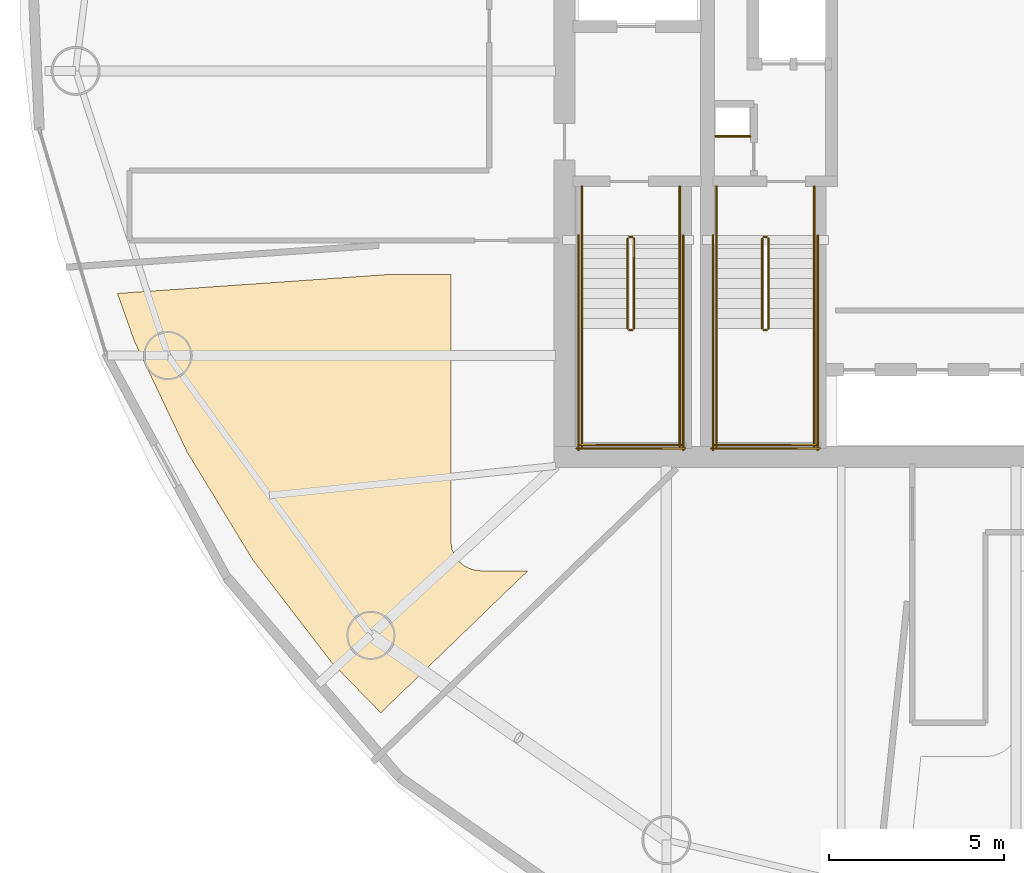
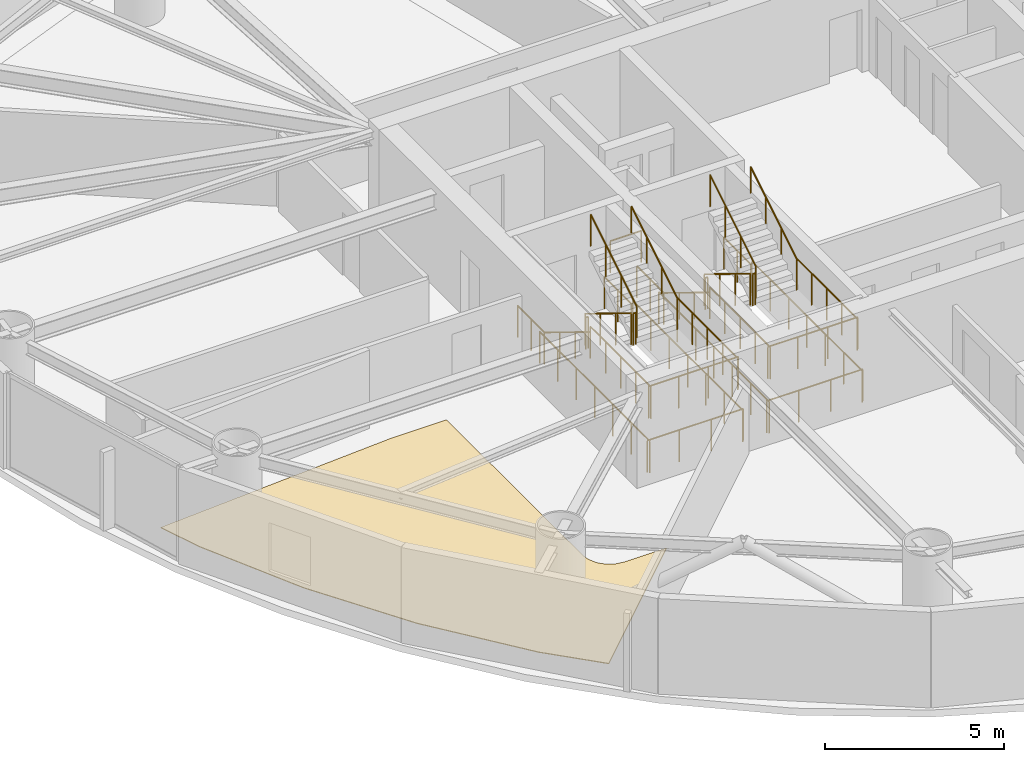
# One storey, part 20 of 22: 29 railings, 1 covering.
"""IFC4 building model written with IfcOpenShell, lengths in metres."""

from ifc_helpers import new_model, si_unit, direction, frame, origin, origin_2d, place, context, subcontext, project, spatial, polyline, circle, outline, extrude, material, layer, layer_set, type_object, element, save


model = new_model("IFC4")

# Units and contexts
model_context = context("Model", 3, precision=1e-05, world=origin(), true_north=direction((0.0, 1.0)))
body_context = subcontext(model_context, "Body", "Model", "MODEL_VIEW")
ifc_project = project(units=[si_unit("LENGTHUNIT", "METRE"), si_unit("AREAUNIT", "SQUARE_METRE"), si_unit("VOLUMEUNIT", "CUBIC_METRE"), si_unit("PLANEANGLEUNIT", "RADIAN"), si_unit("MASSUNIT", "GRAM", prefix="KILO")], contexts=[model_context])

# Site, building, storey
site_placement = place(None, origin())
site = spatial("IfcSite", under=ifc_project, at=site_placement, CompositionType="ELEMENT")
building_placement = place(site_placement, origin())
building = spatial("IfcBuilding", under=site, at=building_placement, Name="Bramvorn Convention Spire", CompositionType="ELEMENT")
storey_placement = place(building_placement, frame((0.0, 0.0, 141.300048828125)))
storey = spatial("IfcBuildingStorey", under=building, at=storey_placement, Name="L35", CompositionType="ELEMENT", Elevation=141.300048828125)

# Covering
ifc_material_1 = material(Name="Honed Dolomitic Limestone Terrazzo Flooring", Category="masonry")
ifc_layer = layer(ifc_material_1, 0.02490234375)
ifc_layer_set = layer_set([ifc_layer], Name="Honed Dolomitic Limestone Terrazzo Flooring - FLR-TERRAZZO-25")
covering_type = type_object("IfcCoveringType", Name="FLR-TERRAZZO-25", PredefinedType="FLOORING", material=ifc_layer_set)
covering_placement = place(storey_placement, origin())
element("IfcCovering", 1, at=covering_placement, inside=storey, type_object=covering_type, Name="L35 Managing Director Office 5 raised floor finish", PredefinedType="FLOORING", context=body_context, shape_type="SweptSolid", body=[
    extrude(outline(polyline([(20.32177734375, 12.950439453125), (21.7451171875, 11.484619140625), (25.955078125, 15.550048828125), (24.60009765625, 15.550048828125), (24.353271484375, 15.586669921875), (24.127685546875, 15.693359375), (23.9990234375, 15.799072265625), (23.893310546875, 15.927734375), (23.78662109375, 16.1533203125), (23.75, 16.39990234375), (23.75, 24.030029296875), (22.012939453125, 24.030029296875), (14.212158203125, 23.484619140625), (14.700439453125, 22.110595703125), (16.20458984375, 18.94873046875), (18.083251953125, 15.864013671875), (20.32177734375, 12.950439453125)])), origin(), (0.0, 0.0, 1.0), 0.02490234375),
])

# Railings
ifc_material_2 = material(Name="Painted Steel Balustrade & Guardrail", Category="steel")
railing_type_1 = type_object("IfcRailingType", Name="RL-STAIR-GUARD-1100", PredefinedType="GUARDRAIL", material=ifc_material_2)
railing_1_placement = place(storey_placement, frame((28.81005859375, 25.050048828125, 0.175048828125)))
element("IfcRailing", 2, at=railing_1_placement, inside=storey, type_object=railing_type_1, Name="L35 ST1 stair guard 1", PredefinedType="GUARDRAIL", context=body_context, shape_type="SweptSolid", body=[
    extrude(circle(Radius=0.02392578125, at=origin_2d()), frame((0.0, 0.0, 1.076171875), z_axis=(0.0, -0.852173129349, 0.523259933127), x_axis=(1.0, 0.0, 0.0)), (0.0, 0.0, 1.0), 3.009765625),
    extrude(circle(Radius=0.02099609375, at=origin_2d()), origin(), (0.0, 0.0, 1.0), 1.052001953125),
    extrude(circle(Radius=0.02099609375, at=origin_2d()), frame((0.0, -0.85498046875, 0.52490234375)), (0.0, 0.0, 1.0), 1.052001953125),
    extrude(circle(Radius=0.02099609375, at=origin_2d()), frame((0.0, -1.7099609375, 1.050048828125)), (0.0, 0.0, 1.0), 1.052001953125),
    extrude(circle(Radius=0.02099609375, at=origin_2d()), frame((0.0, -2.56494140625, 1.574951171875)), (0.0, 0.0, 1.0), 1.052001953125),
])
railing_2_placement = place(storey_placement, frame((28.860107421875, 22.43505859375, 1.75)))
element("IfcRailing", 3, at=railing_2_placement, inside=storey, type_object=railing_type_1, Name="L35 ST1 stair guard 2", PredefinedType="GUARDRAIL", context=body_context, shape_type="SweptSolid", body=[
    extrude(circle(Radius=0.02392578125, at=origin_2d()), frame((0.0, 0.0, 1.076171875), z_axis=(1.0, 0.0, 0.0), x_axis=(0.0, 1.0, 0.0)), (0.0, 0.0, 1.0), 0.079833984375),
    extrude(circle(Radius=0.02099609375, at=origin_2d()), origin(), (0.0, 0.0, 1.0), 1.052001953125),
    extrude(circle(Radius=0.02099609375, at=origin_2d()), frame((0.079833984375, 0.0, 0.0)), (0.0, 0.0, 1.0), 1.052001953125),
])
for number, where, name in (
    (4, (27.5, 22.485107421875, 1.75), "L35 ST1 stair guard 3"),
    (5, (30.300048828125, 22.485107421875, 1.75), "L35 ST1 stair guard 4"),
):
    element("IfcRailing", number, at=place(storey_placement, frame(where)), inside=storey, type_object=railing_type_1, Name=name, PredefinedType="GUARDRAIL", context=body_context, shape_type="SweptSolid", body=[
        extrude(circle(Radius=0.02392578125, at=origin_2d()), frame((0.0, 0.0, 1.076171875), z_axis=(0.0, -1.0, 0.0), x_axis=(1.0, 0.0, 0.0)), (0.0, 0.0, 1.0), 3.385009765625),
        extrude(circle(Radius=0.02099609375, at=origin_2d()), origin(), (0.0, 0.0, 1.0), 1.052001953125),
        extrude(circle(Radius=0.02099609375, at=origin_2d()), frame((0.0, -0.84619140625, 0.0)), (0.0, 0.0, 1.0), 1.052001953125),
        extrude(circle(Radius=0.02099609375, at=origin_2d()), frame((0.0, -1.6923828125, 0.0)), (0.0, 0.0, 1.0), 1.052001953125),
        extrude(circle(Radius=0.02099609375, at=origin_2d()), frame((0.0, -2.538818359375, 0.0)), (0.0, 0.0, 1.0), 1.052001953125),
        extrude(circle(Radius=0.02099609375, at=origin_2d()), frame((0.0, -3.385009765625, 0.0)), (0.0, 0.0, 1.0), 1.052001953125),
    ])
railing_3_placement = place(storey_placement, frame((27.449951171875, 19.14990234375, 1.75)))
element("IfcRailing", 6, at=railing_3_placement, inside=storey, type_object=railing_type_1, Name="L35 ST1 stair guard 5", PredefinedType="GUARDRAIL", context=body_context, shape_type="SweptSolid", body=[
    extrude(circle(Radius=0.02392578125, at=origin_2d()), frame((0.0, 0.0, 1.076171875), z_axis=(1.0, 0.0, 0.0), x_axis=(0.0, 1.0, 0.0)), (0.0, 0.0, 1.0), 2.900146484375),
    extrude(circle(Radius=0.02099609375, at=origin_2d()), origin(), (0.0, 0.0, 1.0), 1.052001953125),
    extrude(circle(Radius=0.02099609375, at=origin_2d()), frame((0.966796875, 0.0, 0.0)), (0.0, 0.0, 1.0), 1.052001953125),
    extrude(circle(Radius=0.02099609375, at=origin_2d()), frame((1.933349609375, 0.0, 0.0)), (0.0, 0.0, 1.0), 1.052001953125),
    extrude(circle(Radius=0.02099609375, at=origin_2d()), frame((2.900146484375, 0.0, 0.0)), (0.0, 0.0, 1.0), 1.052001953125),
])
railing_4_placement = place(storey_placement, frame((28.989990234375, 22.485107421875, 1.925048828125)))
element("IfcRailing", 7, at=railing_4_placement, inside=storey, type_object=railing_type_1, Name="L35 ST1 stair guard 6", PredefinedType="GUARDRAIL", context=body_context, shape_type="SweptSolid", body=[
    extrude(circle(Radius=0.02392578125, at=origin_2d()), frame((0.0, 0.0, 1.076171875), z_axis=(0.0, 0.852173129349, 0.523259933127), x_axis=(-1.0, 0.0, 0.0)), (0.0, 0.0, 1.0), 3.009765625),
    extrude(circle(Radius=0.02099609375, at=origin_2d()), origin(), (0.0, 0.0, 1.0), 1.052001953125),
    extrude(circle(Radius=0.02099609375, at=origin_2d()), frame((0.0, 0.85498046875, 0.52490234375)), (0.0, 0.0, 1.0), 1.052001953125),
    extrude(circle(Radius=0.02099609375, at=origin_2d()), frame((0.0, 1.7099609375, 1.050048828125)), (0.0, 0.0, 1.0), 1.052001953125),
    extrude(circle(Radius=0.02099609375, at=origin_2d()), frame((0.0, 2.56494140625, 1.574951171875)), (0.0, 0.0, 1.0), 1.052001953125),
])
railing_5_placement = place(storey_placement, frame((28.860107421875, 25.10009765625, 0.0)))
element("IfcRailing", 8, at=railing_5_placement, inside=storey, type_object=railing_type_1, Name="L35 ST1 stair guard 7", PredefinedType="GUARDRAIL", context=body_context, shape_type="SweptSolid", body=[
    extrude(circle(Radius=0.02392578125, at=origin_2d()), frame((0.0, 0.0, 1.076171875), z_axis=(1.0, 0.0, 0.0), x_axis=(0.0, 1.0, 0.0)), (0.0, 0.0, 1.0), 0.079833984375),
    extrude(circle(Radius=0.02099609375, at=origin_2d()), origin(), (0.0, 0.0, 1.0), 1.052001953125),
    extrude(circle(Radius=0.02099609375, at=origin_2d()), frame((0.079833984375, 0.0, 0.0)), (0.0, 0.0, 1.0), 1.052001953125),
])
for number, where, name in (
    (9, (27.5, 26.550048828125, 0.0), "L35 ST1 stair guard 8"),
    (10, (30.300048828125, 26.550048828125, 0.0), "L35 ST1 stair guard 9"),
):
    element("IfcRailing", number, at=place(storey_placement, frame(where)), inside=storey, type_object=railing_type_1, Name=name, PredefinedType="GUARDRAIL", context=body_context, shape_type="SweptSolid", body=[
        extrude(circle(Radius=0.02392578125, at=origin_2d()), frame((0.0, 0.0, 1.076171875), z_axis=(0.0, -1.0, 0.0), x_axis=(1.0, 0.0, 0.0)), (0.0, 0.0, 1.0), 1.5),
        extrude(circle(Radius=0.02099609375, at=origin_2d()), origin(), (0.0, 0.0, 1.0), 1.052001953125),
        extrude(circle(Radius=0.02099609375, at=origin_2d()), frame((0.0, -0.75, 0.0)), (0.0, 0.0, 1.0), 1.052001953125),
        extrude(circle(Radius=0.02099609375, at=origin_2d()), frame((0.0, -1.5, 0.0)), (0.0, 0.0, 1.0), 1.052001953125),
    ])
for number, where, name in (
    (11, (27.39990234375, 25.14990234375, 0.0), "L35 ST1 stair guard 10"),
    (12, (30.39990234375, 25.14990234375, 0.0), "L35 ST1 stair guard 11"),
):
    element("IfcRailing", number, at=place(storey_placement, frame(where)), inside=storey, type_object=railing_type_1, Name=name, PredefinedType="GUARDRAIL", context=body_context, shape_type="SweptSolid", body=[
        extrude(circle(Radius=0.02392578125, at=origin_2d()), frame((0.0, 0.0, 1.076171875), z_axis=(0.0, -1.0, 0.0), x_axis=(1.0, 0.0, 0.0)), (0.0, 0.0, 1.0), 6.14990234375),
        extrude(circle(Radius=0.02099609375, at=origin_2d()), origin(), (0.0, 0.0, 1.0), 1.052001953125),
        extrude(circle(Radius=0.02099609375, at=origin_2d()), frame((0.0, -1.02490234375, 0.0)), (0.0, 0.0, 1.0), 1.052001953125),
        extrude(circle(Radius=0.02099609375, at=origin_2d()), frame((0.0, -2.050048828125, 0.0)), (0.0, 0.0, 1.0), 1.052001953125),
        extrude(circle(Radius=0.02099609375, at=origin_2d()), frame((0.0, -3.074951171875, 0.0)), (0.0, 0.0, 1.0), 1.052001953125),
        extrude(circle(Radius=0.02099609375, at=origin_2d()), frame((0.0, -4.099853515625, 0.0)), (0.0, 0.0, 1.0), 1.052001953125),
        extrude(circle(Radius=0.02099609375, at=origin_2d()), frame((0.0, -5.125, 0.0)), (0.0, 0.0, 1.0), 1.052001953125),
        extrude(circle(Radius=0.02099609375, at=origin_2d()), frame((0.0, -6.14990234375, 0.0)), (0.0, 0.0, 1.0), 1.052001953125),
    ])
railing_6_placement = place(storey_placement, frame((27.35009765625, 19.050048828125, 0.0)))
element("IfcRailing", 13, at=railing_6_placement, inside=storey, type_object=railing_type_1, Name="L35 ST1 stair guard 12", PredefinedType="GUARDRAIL", context=body_context, shape_type="SweptSolid", body=[
    extrude(circle(Radius=0.02392578125, at=origin_2d()), frame((0.0, 0.0, 1.076171875), z_axis=(1.0, 0.0, 0.0), x_axis=(0.0, 1.0, 0.0)), (0.0, 0.0, 1.0), 3.099853515625),
    extrude(circle(Radius=0.02099609375, at=origin_2d()), origin(), (0.0, 0.0, 1.0), 1.052001953125),
    extrude(circle(Radius=0.02099609375, at=origin_2d()), frame((1.033203125, 0.0, 0.0)), (0.0, 0.0, 1.0), 1.052001953125),
    extrude(circle(Radius=0.02099609375, at=origin_2d()), frame((2.066650390625, 0.0, 0.0)), (0.0, 0.0, 1.0), 1.052001953125),
    extrude(circle(Radius=0.02099609375, at=origin_2d()), frame((3.099853515625, 0.0, 0.0)), (0.0, 0.0, 1.0), 1.052001953125),
])
railing_7_placement = place(storey_placement, frame((32.659912109375, 25.050048828125, 0.175048828125)))
element("IfcRailing", 14, at=railing_7_placement, inside=storey, type_object=railing_type_1, Name="L35 ST3 stair guard 1", PredefinedType="GUARDRAIL", context=body_context, shape_type="SweptSolid", body=[
    extrude(circle(Radius=0.02392578125, at=origin_2d()), frame((0.0, 0.0, 1.076171875), z_axis=(0.0, -0.852173129349, 0.523259933127), x_axis=(1.0, 0.0, 0.0)), (0.0, 0.0, 1.0), 3.009765625),
    extrude(circle(Radius=0.02099609375, at=origin_2d()), origin(), (0.0, 0.0, 1.0), 1.052001953125),
    extrude(circle(Radius=0.02099609375, at=origin_2d()), frame((0.0, -0.85498046875, 0.52490234375)), (0.0, 0.0, 1.0), 1.052001953125),
    extrude(circle(Radius=0.02099609375, at=origin_2d()), frame((0.0, -1.7099609375, 1.050048828125)), (0.0, 0.0, 1.0), 1.052001953125),
    extrude(circle(Radius=0.02099609375, at=origin_2d()), frame((0.0, -2.56494140625, 1.574951171875)), (0.0, 0.0, 1.0), 1.052001953125),
])
railing_8_placement = place(storey_placement, frame((32.7099609375, 22.43505859375, 1.75)))
element("IfcRailing", 15, at=railing_8_placement, inside=storey, type_object=railing_type_1, Name="L35 ST3 stair guard 2", PredefinedType="GUARDRAIL", context=body_context, shape_type="SweptSolid", body=[
    extrude(circle(Radius=0.02392578125, at=origin_2d()), frame((0.0, 0.0, 1.076171875), z_axis=(1.0, 0.0, 0.0), x_axis=(0.0, 1.0, 0.0)), (0.0, 0.0, 1.0), 0.080078125),
    extrude(circle(Radius=0.02099609375, at=origin_2d()), origin(), (0.0, 0.0, 1.0), 1.052001953125),
    extrude(circle(Radius=0.02099609375, at=origin_2d()), frame((0.080078125, 0.0, 0.0)), (0.0, 0.0, 1.0), 1.052001953125),
])
for number, where, name in (
    (16, (31.35009765625, 22.485107421875, 1.75), "L35 ST3 stair guard 3"),
    (17, (34.14990234375, 22.485107421875, 1.75), "L35 ST3 stair guard 4"),
):
    element("IfcRailing", number, at=place(storey_placement, frame(where)), inside=storey, type_object=railing_type_1, Name=name, PredefinedType="GUARDRAIL", context=body_context, shape_type="SweptSolid", body=[
        extrude(circle(Radius=0.02392578125, at=origin_2d()), frame((0.0, 0.0, 1.076171875), z_axis=(0.0, -1.0, 0.0), x_axis=(1.0, 0.0, 0.0)), (0.0, 0.0, 1.0), 3.385009765625),
        extrude(circle(Radius=0.02099609375, at=origin_2d()), origin(), (0.0, 0.0, 1.0), 1.052001953125),
        extrude(circle(Radius=0.02099609375, at=origin_2d()), frame((0.0, -0.84619140625, 0.0)), (0.0, 0.0, 1.0), 1.052001953125),
        extrude(circle(Radius=0.02099609375, at=origin_2d()), frame((0.0, -1.6923828125, 0.0)), (0.0, 0.0, 1.0), 1.052001953125),
        extrude(circle(Radius=0.02099609375, at=origin_2d()), frame((0.0, -2.538818359375, 0.0)), (0.0, 0.0, 1.0), 1.052001953125),
        extrude(circle(Radius=0.02099609375, at=origin_2d()), frame((0.0, -3.385009765625, 0.0)), (0.0, 0.0, 1.0), 1.052001953125),
    ])
railing_9_placement = place(storey_placement, frame((31.300048828125, 19.14990234375, 1.75)))
element("IfcRailing", 18, at=railing_9_placement, inside=storey, type_object=railing_type_1, Name="L35 ST3 stair guard 5", PredefinedType="GUARDRAIL", context=body_context, shape_type="SweptSolid", body=[
    extrude(circle(Radius=0.02392578125, at=origin_2d()), frame((0.0, 0.0, 1.076171875), z_axis=(1.0, 0.0, 0.0), x_axis=(0.0, 1.0, 0.0)), (0.0, 0.0, 1.0), 2.89990234375),
    extrude(circle(Radius=0.02099609375, at=origin_2d()), origin(), (0.0, 0.0, 1.0), 1.052001953125),
    extrude(circle(Radius=0.02099609375, at=origin_2d()), frame((0.966552734375, 0.0, 0.0)), (0.0, 0.0, 1.0), 1.052001953125),
    extrude(circle(Radius=0.02099609375, at=origin_2d()), frame((1.933349609375, 0.0, 0.0)), (0.0, 0.0, 1.0), 1.052001953125),
    extrude(circle(Radius=0.02099609375, at=origin_2d()), frame((2.89990234375, 0.0, 0.0)), (0.0, 0.0, 1.0), 1.052001953125),
])
railing_10_placement = place(storey_placement, frame((32.840087890625, 22.485107421875, 1.925048828125)))
element("IfcRailing", 19, at=railing_10_placement, inside=storey, type_object=railing_type_1, Name="L35 ST3 stair guard 6", PredefinedType="GUARDRAIL", context=body_context, shape_type="SweptSolid", body=[
    extrude(circle(Radius=0.02392578125, at=origin_2d()), frame((0.0, 0.0, 1.076171875), z_axis=(0.0, 0.852173129349, 0.523259933127), x_axis=(-1.0, 0.0, 0.0)), (0.0, 0.0, 1.0), 3.009765625),
    extrude(circle(Radius=0.02099609375, at=origin_2d()), origin(), (0.0, 0.0, 1.0), 1.052001953125),
    extrude(circle(Radius=0.02099609375, at=origin_2d()), frame((0.0, 0.85498046875, 0.52490234375)), (0.0, 0.0, 1.0), 1.052001953125),
    extrude(circle(Radius=0.02099609375, at=origin_2d()), frame((0.0, 1.7099609375, 1.050048828125)), (0.0, 0.0, 1.0), 1.052001953125),
    extrude(circle(Radius=0.02099609375, at=origin_2d()), frame((0.0, 2.56494140625, 1.574951171875)), (0.0, 0.0, 1.0), 1.052001953125),
])
railing_11_placement = place(storey_placement, frame((32.7099609375, 25.10009765625, 0.0)))
element("IfcRailing", 20, at=railing_11_placement, inside=storey, type_object=railing_type_1, Name="L35 ST3 stair guard 7", PredefinedType="GUARDRAIL", context=body_context, shape_type="SweptSolid", body=[
    extrude(circle(Radius=0.02392578125, at=origin_2d()), frame((0.0, 0.0, 1.076171875), z_axis=(1.0, 0.0, 0.0), x_axis=(0.0, 1.0, 0.0)), (0.0, 0.0, 1.0), 0.080078125),
    extrude(circle(Radius=0.02099609375, at=origin_2d()), origin(), (0.0, 0.0, 1.0), 1.052001953125),
    extrude(circle(Radius=0.02099609375, at=origin_2d()), frame((0.080078125, 0.0, 0.0)), (0.0, 0.0, 1.0), 1.052001953125),
])
for number, where, name in (
    (21, (31.35009765625, 26.550048828125, 0.0), "L35 ST3 stair guard 8"),
    (22, (34.14990234375, 26.550048828125, 0.0), "L35 ST3 stair guard 9"),
):
    element("IfcRailing", number, at=place(storey_placement, frame(where)), inside=storey, type_object=railing_type_1, Name=name, PredefinedType="GUARDRAIL", context=body_context, shape_type="SweptSolid", body=[
        extrude(circle(Radius=0.02392578125, at=origin_2d()), frame((0.0, 0.0, 1.076171875), z_axis=(0.0, -1.0, 0.0), x_axis=(1.0, 0.0, 0.0)), (0.0, 0.0, 1.0), 1.5),
        extrude(circle(Radius=0.02099609375, at=origin_2d()), origin(), (0.0, 0.0, 1.0), 1.052001953125),
        extrude(circle(Radius=0.02099609375, at=origin_2d()), frame((0.0, -0.75, 0.0)), (0.0, 0.0, 1.0), 1.052001953125),
        extrude(circle(Radius=0.02099609375, at=origin_2d()), frame((0.0, -1.5, 0.0)), (0.0, 0.0, 1.0), 1.052001953125),
    ])
for number, where, name in (
    (23, (31.25, 25.14990234375, 0.0), "L35 ST3 stair guard 10"),
    (24, (34.25, 25.14990234375, 0.0), "L35 ST3 stair guard 11"),
):
    element("IfcRailing", number, at=place(storey_placement, frame(where)), inside=storey, type_object=railing_type_1, Name=name, PredefinedType="GUARDRAIL", context=body_context, shape_type="SweptSolid", body=[
        extrude(circle(Radius=0.02392578125, at=origin_2d()), frame((0.0, 0.0, 1.076171875), z_axis=(0.0, -1.0, 0.0), x_axis=(1.0, 0.0, 0.0)), (0.0, 0.0, 1.0), 6.14990234375),
        extrude(circle(Radius=0.02099609375, at=origin_2d()), origin(), (0.0, 0.0, 1.0), 1.052001953125),
        extrude(circle(Radius=0.02099609375, at=origin_2d()), frame((0.0, -1.02490234375, 0.0)), (0.0, 0.0, 1.0), 1.052001953125),
        extrude(circle(Radius=0.02099609375, at=origin_2d()), frame((0.0, -2.050048828125, 0.0)), (0.0, 0.0, 1.0), 1.052001953125),
        extrude(circle(Radius=0.02099609375, at=origin_2d()), frame((0.0, -3.074951171875, 0.0)), (0.0, 0.0, 1.0), 1.052001953125),
        extrude(circle(Radius=0.02099609375, at=origin_2d()), frame((0.0, -4.099853515625, 0.0)), (0.0, 0.0, 1.0), 1.052001953125),
        extrude(circle(Radius=0.02099609375, at=origin_2d()), frame((0.0, -5.125, 0.0)), (0.0, 0.0, 1.0), 1.052001953125),
        extrude(circle(Radius=0.02099609375, at=origin_2d()), frame((0.0, -6.14990234375, 0.0)), (0.0, 0.0, 1.0), 1.052001953125),
    ])
railing_12_placement = place(storey_placement, frame((31.199951171875, 19.050048828125, 0.0)))
element("IfcRailing", 25, at=railing_12_placement, inside=storey, type_object=railing_type_1, Name="L35 ST3 stair guard 12", PredefinedType="GUARDRAIL", context=body_context, shape_type="SweptSolid", body=[
    extrude(circle(Radius=0.02392578125, at=origin_2d()), frame((0.0, 0.0, 1.076171875), z_axis=(1.0, 0.0, 0.0), x_axis=(0.0, 1.0, 0.0)), (0.0, 0.0, 1.0), 3.10009765625),
    extrude(circle(Radius=0.02099609375, at=origin_2d()), origin(), (0.0, 0.0, 1.0), 1.052001953125),
    extrude(circle(Radius=0.02099609375, at=origin_2d()), frame((1.033447265625, 0.0, 0.0)), (0.0, 0.0, 1.0), 1.052001953125),
    extrude(circle(Radius=0.02099609375, at=origin_2d()), frame((2.066650390625, 0.0, 0.0)), (0.0, 0.0, 1.0), 1.052001953125),
    extrude(circle(Radius=0.02099609375, at=origin_2d()), frame((3.10009765625, 0.0, 0.0)), (0.0, 0.0, 1.0), 1.052001953125),
])
railing_13_placement = place(storey_placement, frame((31.320068359375, 27.97998046875, 0.0)))
element("IfcRailing", 26, at=railing_13_placement, inside=storey, type_object=railing_type_1, Name="L35 Telecom riser shaft opening safety guardrail", PredefinedType="GUARDRAIL", context=body_context, shape_type="SweptSolid", body=[
    extrude(circle(Radius=0.02392578125, at=origin_2d()), frame((0.0, 0.0, 1.076171875), z_axis=(1.0, 0.0, 0.0), x_axis=(0.0, 1.0, 0.0)), (0.0, 0.0, 1.0), 1.0),
    extrude(circle(Radius=0.02099609375, at=origin_2d()), origin(), (0.0, 0.0, 1.0), 1.052001953125),
    extrude(circle(Radius=0.02099609375, at=origin_2d()), frame((1.0, 0.0, 0.0)), (0.0, 0.0, 1.0), 1.052001953125),
])
ifc_material_3 = material(Name="Brushed Bronze Tubular Handrail", Category="aluminium")
railing_type_2 = type_object("IfcRailingType", Name="RL-STAIR-HR-920", PredefinedType="HANDRAIL", material=ifc_material_3)
railing_14_placement = place(storey_placement, frame((27.5, 25.050048828125, 0.175048828125)))
element("IfcRailing", 27, at=railing_14_placement, inside=storey, type_object=railing_type_2, Name="L35 ST1 stair handrail 1", PredefinedType="HANDRAIL", context=body_context, shape_type="SweptSolid", body=[
    extrude(circle(Radius=0.02392578125, at=origin_2d()), frame((0.0, 0.0, 0.89599609375), z_axis=(0.0, -0.852173129349, 0.523259933127), x_axis=(1.0, 0.0, 0.0)), (0.0, 0.0, 1.0), 3.009765625),
    extrude(circle(Radius=0.02099609375, at=origin_2d()), origin(), (0.0, 0.0, 1.0), 0.871826171875),
    extrude(circle(Radius=0.02099609375, at=origin_2d()), frame((0.0, -0.85498046875, 0.52490234375)), (0.0, 0.0, 1.0), 0.871826171875),
    extrude(circle(Radius=0.02099609375, at=origin_2d()), frame((0.0, -1.7099609375, 1.050048828125)), (0.0, 0.0, 1.0), 0.871826171875),
    extrude(circle(Radius=0.02099609375, at=origin_2d()), frame((0.0, -2.56494140625, 1.574951171875)), (0.0, 0.0, 1.0), 0.871826171875),
])
railing_15_placement = place(storey_placement, frame((30.300048828125, 22.485107421875, 1.925048828125)))
element("IfcRailing", 28, at=railing_15_placement, inside=storey, type_object=railing_type_2, Name="L35 ST1 stair handrail 2", PredefinedType="HANDRAIL", context=body_context, shape_type="SweptSolid", body=[
    extrude(circle(Radius=0.02392578125, at=origin_2d()), frame((0.0, 0.0, 0.89599609375), z_axis=(0.0, 0.852173129349, 0.523259933127), x_axis=(-1.0, 0.0, 0.0)), (0.0, 0.0, 1.0), 3.009765625),
    extrude(circle(Radius=0.02099609375, at=origin_2d()), origin(), (0.0, 0.0, 1.0), 0.871826171875),
    extrude(circle(Radius=0.02099609375, at=origin_2d()), frame((0.0, 0.85498046875, 0.52490234375)), (0.0, 0.0, 1.0), 0.871826171875),
    extrude(circle(Radius=0.02099609375, at=origin_2d()), frame((0.0, 1.7099609375, 1.050048828125)), (0.0, 0.0, 1.0), 0.871826171875),
    extrude(circle(Radius=0.02099609375, at=origin_2d()), frame((0.0, 2.56494140625, 1.574951171875)), (0.0, 0.0, 1.0), 0.871826171875),
])
railing_16_placement = place(storey_placement, frame((31.35009765625, 25.050048828125, 0.175048828125)))
element("IfcRailing", 29, at=railing_16_placement, inside=storey, type_object=railing_type_2, Name="L35 ST3 stair handrail 1", PredefinedType="HANDRAIL", context=body_context, shape_type="SweptSolid", body=[
    extrude(circle(Radius=0.02392578125, at=origin_2d()), frame((0.0, 0.0, 0.89599609375), z_axis=(0.0, -0.852173129349, 0.523259933127), x_axis=(1.0, 0.0, 0.0)), (0.0, 0.0, 1.0), 3.009765625),
    extrude(circle(Radius=0.02099609375, at=origin_2d()), origin(), (0.0, 0.0, 1.0), 0.871826171875),
    extrude(circle(Radius=0.02099609375, at=origin_2d()), frame((0.0, -0.85498046875, 0.52490234375)), (0.0, 0.0, 1.0), 0.871826171875),
    extrude(circle(Radius=0.02099609375, at=origin_2d()), frame((0.0, -1.7099609375, 1.050048828125)), (0.0, 0.0, 1.0), 0.871826171875),
    extrude(circle(Radius=0.02099609375, at=origin_2d()), frame((0.0, -2.56494140625, 1.574951171875)), (0.0, 0.0, 1.0), 0.871826171875),
])
railing_17_placement = place(storey_placement, frame((34.14990234375, 22.485107421875, 1.925048828125)))
element("IfcRailing", 30, at=railing_17_placement, inside=storey, type_object=railing_type_2, Name="L35 ST3 stair handrail 2", PredefinedType="HANDRAIL", context=body_context, shape_type="SweptSolid", body=[
    extrude(circle(Radius=0.02392578125, at=origin_2d()), frame((0.0, 0.0, 0.89599609375), z_axis=(0.0, 0.852173129349, 0.523259933127), x_axis=(-1.0, 0.0, 0.0)), (0.0, 0.0, 1.0), 3.009765625),
    extrude(circle(Radius=0.02099609375, at=origin_2d()), origin(), (0.0, 0.0, 1.0), 0.871826171875),
    extrude(circle(Radius=0.02099609375, at=origin_2d()), frame((0.0, 0.85498046875, 0.52490234375)), (0.0, 0.0, 1.0), 0.871826171875),
    extrude(circle(Radius=0.02099609375, at=origin_2d()), frame((0.0, 1.7099609375, 1.050048828125)), (0.0, 0.0, 1.0), 0.871826171875),
    extrude(circle(Radius=0.02099609375, at=origin_2d()), frame((0.0, 2.56494140625, 1.574951171875)), (0.0, 0.0, 1.0), 0.871826171875),
])

save(model, "model.ifc")
